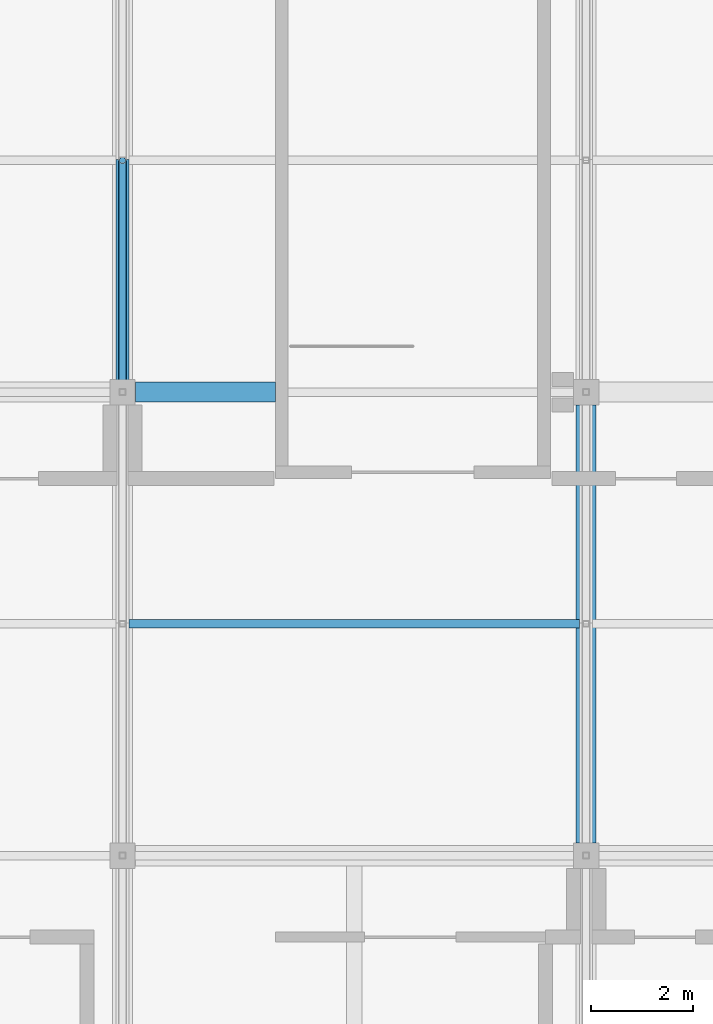
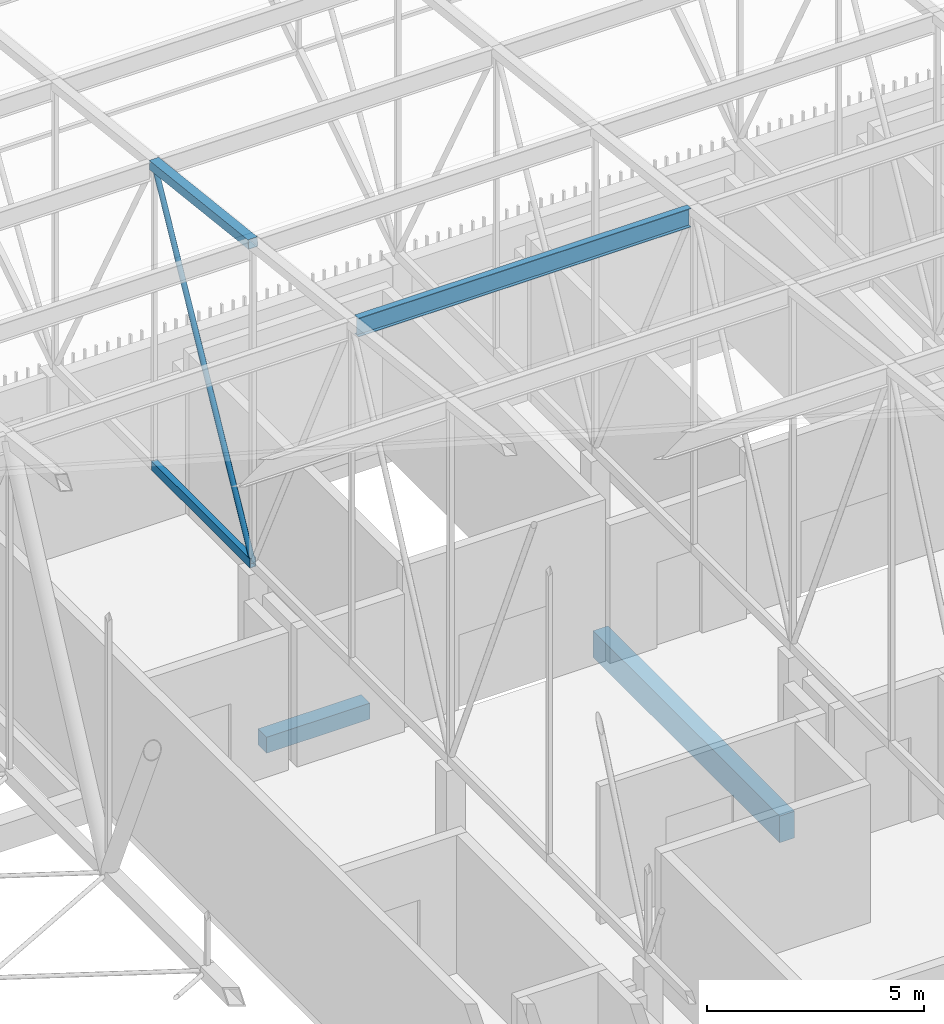
# One storey, part 317 of 500: 4 members, 2 beams.
"""IFC4 building model written with IfcOpenShell, lengths in metres."""

from ifc_helpers import new_model, si_unit, direction, frame, origin, origin_2d, place, context, subcontext, project, spatial, rectangle, hollow_rectangle, hollow_circle, i_section, extrude, material, material_profile, profile_set, type_object, element, save


model = new_model("IFC4")

# Units and contexts
model_context = context("Model", 3, precision=1e-05, world=origin(), true_north=direction((0.0, 1.0)))
body_context = subcontext(model_context, "Body", "Model", "MODEL_VIEW")
ifc_project = project(units=[si_unit("LENGTHUNIT", "METRE"), si_unit("AREAUNIT", "SQUARE_METRE"), si_unit("VOLUMEUNIT", "CUBIC_METRE"), si_unit("PLANEANGLEUNIT", "RADIAN"), si_unit("MASSUNIT", "GRAM", prefix="KILO")], contexts=[model_context])

# Site, building, storey
site_placement = place(None, origin())
site = spatial("IfcSite", under=ifc_project, at=site_placement, CompositionType="ELEMENT")
building_placement = place(site_placement, origin())
building = spatial("IfcBuilding", under=site, at=building_placement, Name="Shirokan Park Arena", CompositionType="ELEMENT")
storey_placement = place(building_placement, frame((0.0, 0.0, 29.1201171875)))
storey = spatial("IfcBuildingStorey", under=building, at=storey_placement, Name="L06", CompositionType="ELEMENT", Elevation=29.1201171875)

# Members
ifc_material_1 = material(Name="Steel ASTM A500 Grade C", Category="steel")
ifc_material_profile_1 = material_profile(ifc_material_1, hollow_rectangle(XDim=0.152099609375, YDim=0.25390625, WallThickness=0.009521484375, at=origin_2d()), Name="HSS254X152.4X9.5")
ifc_profile_set_1 = profile_set([ifc_material_profile_1], Name="Steel ASTM A500 Grade C")
member_type_1 = type_object("IfcMemberType", Name="Bottom chord HSS254X152.4X9.5", PredefinedType="CHORD", material=ifc_profile_set_1)
member_1_placement = place(storey_placement, frame((109.199951171875, 100.10009765625, 4.677001953125), z_axis=(0.0, 1.0, 0.0), x_axis=(-1.0, 0.0, 0.0)))
element("IfcMember", 1, at=member_1_placement, inside=storey, type_object=member_type_1, Name="Truss T13 bottom chord 25", PredefinedType="CHORD", context=body_context, shape_type="SweptSolid", body=[
    extrude(hollow_rectangle(XDim=0.152099609375, YDim=0.25390625, WallThickness=0.009521484375, at=origin_2d()), origin(), (0.0, 0.0, 1.0), 4.5498046875),
])
ifc_material_2 = material(Name="Steel ASTM A992", Category="steel")
ifc_material_profile_2 = material_profile(ifc_material_2, i_section(OverallWidth=0.166015625, OverallDepth=0.528076171875, WebThickness=0.009765625, FlangeThickness=0.013671875, at=origin_2d()), Name="W530X74")
ifc_profile_set_2 = profile_set([ifc_material_profile_2], Name="Steel ASTM A992")
member_type_2 = type_object("IfcMemberType", Name="Purlin W530X74", PredefinedType="PURLIN", material=ifc_profile_set_2)
member_2_placement = place(storey_placement, frame((109.326904296875, 95.550048828125, 14.0458984375), z_axis=(1.0, 0.0, 0.0), x_axis=(0.0, 1.0, 0.0)))
element("IfcMember", 2, at=member_2_placement, inside=storey, type_object=member_type_2, Name="Purlin 24 bay 13", PredefinedType="PURLIN", context=body_context, shape_type="SweptSolid", body=[
    extrude(i_section(OverallWidth=0.166015625, OverallDepth=0.528076171875, WebThickness=0.009765625, FlangeThickness=0.013671875, at=origin_2d()), origin(), (0.0, 0.0, 1.0), 8.84619140625),
])

# Beams
ifc_material_3 = material(Name="Concrete C35", Category="concrete")
ifc_material_profile_3 = material_profile(ifc_material_3, rectangle(XDim=0.39990234375, YDim=0.75, at=origin_2d()), Name="400x750")
ifc_profile_set_3 = profile_set([ifc_material_profile_3], Name="Concrete C35")
beam_type_1 = type_object("IfcBeamType", Name="RC girder 400x750", PredefinedType="BEAM", material=ifc_profile_set_3)
beam_1_placement = place(storey_placement, frame((118.300048828125, 91.25, -0.5751953125), z_axis=(0.0, 1.0, 0.0), x_axis=(-1.0, 0.0, 0.0)))
element("IfcBeam", 3, at=beam_1_placement, inside=storey, type_object=beam_type_1, Name="Girder 14L-14M L06", PredefinedType="BEAM", context=body_context, shape_type="SweptSolid", body=[
    extrude(rectangle(XDim=0.39990234375, YDim=0.75, at=origin_2d()), origin(), (0.0, 0.0, 1.0), 8.599853515625),
])
ifc_material_profile_4 = material_profile(ifc_material_3, rectangle(XDim=0.39990234375, YDim=0.449951171875, at=origin_2d()), Name="400x450")
ifc_profile_set_4 = profile_set([ifc_material_profile_4], Name="Concrete C35")
beam_type_2 = type_object("IfcBeamType", Name="RC trimmer 400x450", PredefinedType="BEAM", material=ifc_profile_set_4)
beam_2_placement = place(storey_placement, frame((109.4501953125, 100.10009765625, -0.425048828125), z_axis=(1.0, 0.0, 0.0), x_axis=(0.0, 1.0, 0.0)))
element("IfcBeam", 4, at=beam_2_placement, inside=storey, type_object=beam_type_2, Name="Girder 13M-14M L06", PredefinedType="BEAM", context=body_context, shape_type="SweptSolid", body=[
    extrude(rectangle(XDim=0.39990234375, YDim=0.449951171875, at=origin_2d()), origin(), (0.0, 0.0, 1.0), 2.749755859375),
])

# Members
ifc_material_profile_5 = material_profile(ifc_material_1, hollow_rectangle(XDim=0.25390625, YDim=0.25390625, WallThickness=0.009521484375, at=origin_2d()), Name="HSS254X254X9.5")
ifc_profile_set_5 = profile_set([ifc_material_profile_5], Name="Steel ASTM A500 Grade C")
member_type_3 = type_object("IfcMemberType", Name="Top chord HSS254X254X9.5", PredefinedType="CHORD", material=ifc_profile_set_5)
member_3_placement = place(storey_placement, frame((109.199951171875, 100.10009765625, 13.662841796875), z_axis=(0.0, 0.993531641592, -0.11355561261), x_axis=(-1.0, 0.0, 0.0)))
element("IfcMember", 5, at=member_3_placement, inside=storey, type_object=member_type_3, Name="Truss T13 top chord 25", PredefinedType="CHORD", context=body_context, shape_type="SweptSolid", body=[
    extrude(hollow_rectangle(XDim=0.25390625, YDim=0.25390625, WallThickness=0.009521484375, at=origin_2d()), origin(), (0.0, 0.0, 1.0), 4.579345703125),
])
ifc_material_profile_6 = material_profile(ifc_material_1, hollow_circle(Radius=0.070556640625, WallThickness=0.006591796875, at=origin_2d()), Name="HSS141.3X6.6")
ifc_profile_set_6 = profile_set([ifc_material_profile_6], Name="Steel ASTM A500 Grade C")
member_type_4 = type_object("IfcMemberType", Name="Truss diagonal HSS141.3X6.6", PredefinedType="BRACE", material=ifc_profile_set_6)
member_4_placement = place(storey_placement, frame((109.199951171875, 100.10009765625, 4.677001953125), z_axis=(0.0, 0.47339679801, 0.880849289966), x_axis=(-1.0, 0.0, 0.0)))
element("IfcMember", 6, at=member_4_placement, inside=storey, type_object=member_type_4, Name="Truss T13 diagonal 25", PredefinedType="BRACE", context=body_context, shape_type="SweptSolid", body=[
    extrude(hollow_circle(Radius=0.070556640625, WallThickness=0.006591796875, at=origin_2d()), origin(), (0.0, 0.0, 1.0), 9.611083984375),
])

save(model, "model.ifc")
